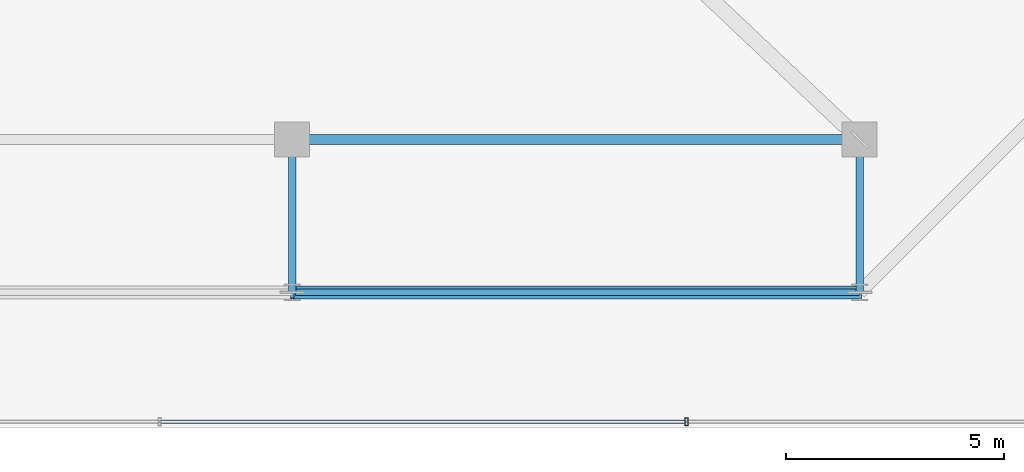
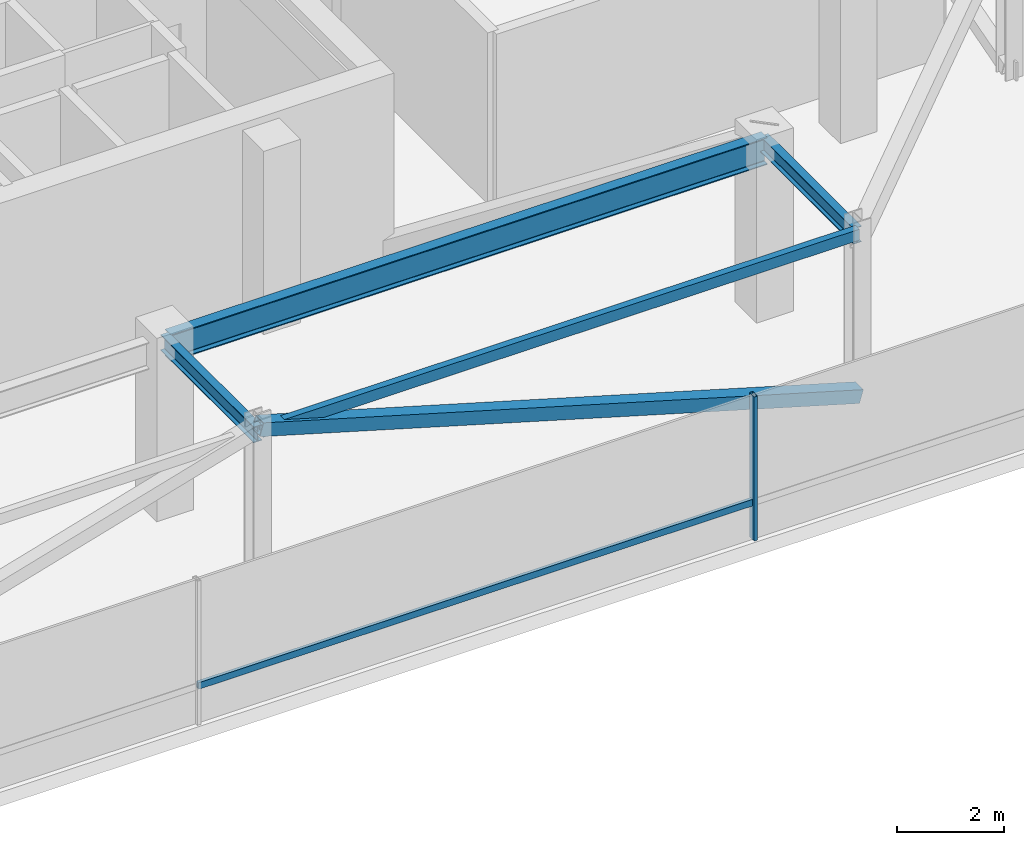
# One storey, part 8 of 47: 4 beams, 3 members, 1 element without a shape of its own.
"""IFC4 building model written with IfcOpenShell, lengths in metres."""

from ifc_helpers import new_model, si_unit, direction, frame, origin, origin_2d, place, context, subcontext, project, spatial, hollow_rectangle, i_section, extrude, material, material_profile, profile_set, type_object, element, aggregate, save


model = new_model("IFC4")

# Units and contexts
model_context = context("Model", 3, precision=1e-05, world=origin(), true_north=direction((0.0, 1.0)))
body_context = subcontext(model_context, "Body", "Model", "MODEL_VIEW")
ifc_project = project(units=[si_unit("LENGTHUNIT", "METRE"), si_unit("AREAUNIT", "SQUARE_METRE"), si_unit("VOLUMEUNIT", "CUBIC_METRE"), si_unit("PLANEANGLEUNIT", "RADIAN"), si_unit("MASSUNIT", "GRAM", prefix="KILO")], contexts=[model_context])

# Site, building, storey
site_placement = place(None, origin())
site = spatial("IfcSite", under=ifc_project, at=site_placement, CompositionType="ELEMENT")
building_placement = place(site_placement, origin())
building = spatial("IfcBuilding", under=site, at=building_placement, Name="Thornwick Lancets Civic Towers", CompositionType="ELEMENT")
storey_placement = place(building_placement, frame((0.0, 0.0, 279.89990234375)))
storey = spatial("IfcBuildingStorey", under=building, at=storey_placement, Name="C01", CompositionType="ELEMENT", Elevation=279.89990234375)

# Beams
ifc_material_1 = material(Name="Steel S355JR", Category="steel")
ifc_material_profile_1 = material_profile(ifc_material_1, hollow_rectangle(XDim=0.14990234375, YDim=0.25, WallThickness=0.012451171875, at=origin_2d()), Name="RHS 250x150x12.5")
ifc_profile_set_1 = profile_set([ifc_material_profile_1], Name="Steel S355JR")
beam_type_1 = type_object("IfcBeamType", Name="BM_CROWN_RHS250", PredefinedType="BEAM", material=ifc_profile_set_1)
beam_1_placement = place(storey_placement, frame((25.580078125, 6.199951171875, 3.815185546875), z_axis=(1.0, 0.0, 0.0), x_axis=(0.0, 1.0, 0.0)))
element("IfcBeam", 1, at=beam_1_placement, inside=storey, type_object=beam_type_1, Name="BM-EDGE-C01-A-S0-2", PredefinedType="BEAM", context=body_context, shape_type="SweptSolid", body=[
    extrude(hollow_rectangle(XDim=0.14990234375, YDim=0.25, WallThickness=0.012451171875, at=origin_2d()), origin(), (0.0, 0.0, 1.0), 12.919921875),
])
ifc_material_profile_2 = material_profile(ifc_material_1, i_section(OverallWidth=0.230224609375, OverallDepth=0.6171875, WebThickness=0.01318359375, FlangeThickness=0.022216796875, FilletRadius=0.0126953125, at=origin_2d()), Name="UKB 610x229x140")
ifc_profile_set_2 = profile_set([ifc_material_profile_2], Name="Steel S355JR")
beam_type_2 = type_object("IfcBeamType", Name="BM_GIRD_610_140", PredefinedType="BEAM", material=ifc_profile_set_2)
beam_2_placement = place(storey_placement, frame((25.580078125, 9.699951171875, 3.631591796875), z_axis=(1.0, 0.0, 0.0), x_axis=(0.0, 1.0, 0.0)))
element("IfcBeam", 2, at=beam_2_placement, inside=storey, type_object=beam_type_2, Name="BM-SPINE-C01-A-1-2", PredefinedType="BEAM", context=body_context, shape_type="SweptSolid", body=[
    extrude(i_section(OverallWidth=0.230224609375, OverallDepth=0.6171875, WebThickness=0.01318359375, FlangeThickness=0.022216796875, FilletRadius=0.0126953125, at=origin_2d()), origin(), (0.0, 0.0, 1.0), 12.919921875),
])
ifc_material_profile_3 = material_profile(ifc_material_1, i_section(OverallWidth=0.173095703125, OverallDepth=0.36328125, WebThickness=0.009033203125, FlangeThickness=0.015625, FilletRadius=0.01025390625, at=origin_2d()), Name="UKB 356x171x67")
ifc_profile_set_3 = profile_set([ifc_material_profile_3], Name="Steel S355JR")
beam_type_3 = type_object("IfcBeamType", Name="BM_JOIST_356_67", PredefinedType="JOIST", material=ifc_profile_set_3)
for number, where, z_axis, x_axis, name in (
    (3, (25.5, 9.699951171875, 3.75830078125), (0.0, -1.0, 0.0), (1.0, 0.0, 0.0), "BM-RAD-C01-A02"),
    (4, (38.5, 9.699951171875, 3.75830078125), (0.0, -1.0, 0.0), (1.0, 0.0, 0.0), "BM-RAD-C01-A03"),
):
    element("IfcBeam", number, at=place(storey_placement, frame(where, z_axis=z_axis, x_axis=x_axis)), inside=storey, type_object=beam_type_3, Name=name, PredefinedType="JOIST", context=body_context, shape_type="SweptSolid", body=[
        extrude(i_section(OverallWidth=0.173095703125, OverallDepth=0.36328125, WebThickness=0.009033203125, FlangeThickness=0.015625, FilletRadius=0.01025390625, at=origin_2d()), origin(), (0.0, 0.0, 1.0), 3.5),
    ])

# Curtain wall, members
ifc_material_2 = material(Name="Crown ring acoustic-louvre and glazing screen wall", Category="glass")
curtain_wall_type = type_object("IfcCurtainWallType", Name="CW_SYS_07", PredefinedType="NOTDEFINED", material=ifc_material_2)
curtain_wall_placement = place(storey_placement, origin())
curtain_wall = element("IfcCurtainWall", 5, at=curtain_wall_placement, inside=storey, type_object=curtain_wall_type, Name="C01 Curtain Wall CW-C01-A-E0", PredefinedType="NOTDEFINED")
ifc_material_3 = material(Name="Thermally broken bronze aluminium S355", Category="steel")
ifc_material_profile_4 = material_profile(ifc_material_3, hollow_rectangle(XDim=0.074951171875, YDim=0.179931640625, WallThickness=0.006103515625, at=origin_2d()), Name="RHS 180x75x6")
ifc_profile_set_4 = profile_set([ifc_material_profile_4], Name="Thermally broken bronze aluminium S355")
member_type_1 = type_object("IfcMemberType", Name="CW_MUL_180", PredefinedType="MULLION", material=ifc_profile_set_4)
member_1_placement = place(storey_placement, frame((34.53369140625, 3.2353515625, 0.0), z_axis=(0.0, 0.0, 1.0), x_axis=(1.0, 0.0, 0.0)))
member_1 = element("IfcMember", 6, at=member_1_placement, type_object=member_type_1, Name="CW-C01-A-E0 Mullion 2", PredefinedType="MULLION", context=body_context, shape_type="SweptSolid", body=[
    extrude(hollow_rectangle(XDim=0.074951171875, YDim=0.179931640625, WallThickness=0.006103515625, at=origin_2d()), origin(), (0.0, 0.0, 1.0), 3.300048828125),
])
ifc_material_profile_5 = material_profile(ifc_material_3, hollow_rectangle(XDim=0.074951171875, YDim=0.14990234375, WallThickness=0.0048828125, at=origin_2d()), Name="RHS 150x75x5")
ifc_profile_set_5 = profile_set([ifc_material_profile_5], Name="Thermally broken bronze aluminium S355")
member_type_2 = type_object("IfcMemberType", Name="CW_TRN_150", PredefinedType="USERDEFINED", material=ifc_profile_set_5)
member_2_placement = place(storey_placement, frame((22.486083984375, 3.2353515625, 0.85009765625), z_axis=(1.0, 0.0, 0.0), x_axis=(0.0, 1.0, 0.0)))
member_2 = element("IfcMember", 7, at=member_2_placement, type_object=member_type_2, Name="CW-C01-A-E0 Transom 1", ObjectType="TRANSOM", PredefinedType="USERDEFINED", context=body_context, shape_type="SweptSolid", body=[
    extrude(hollow_rectangle(XDim=0.074951171875, YDim=0.14990234375, WallThickness=0.0048828125, at=origin_2d()), origin(), (0.0, 0.0, 1.0), 12.02783203125),
])
aggregate(curtain_wall, [member_1, member_2])

# Member
ifc_material_4 = material(Name="Steel S460M", Category="steel")
ifc_material_profile_6 = material_profile(ifc_material_4, hollow_rectangle(XDim=0.300048828125, YDim=0.300048828125, WallThickness=0.01611328125, at=origin_2d()), Name="SHS 300x300x16")
ifc_profile_set_6 = profile_set([ifc_material_profile_6], Name="Steel S460M")
member_type_3 = type_object("IfcMemberType", Name="MEM_BELT_SHS300", PredefinedType="BRACE", material=ifc_profile_set_6)
member_3_placement = place(storey_placement, frame((38.5, 6.199951171875, 0.150146484375), z_axis=(-0.960032302388, 0.0, 0.279889225178), x_axis=(0.0, -1.0, 0.0)))
element("IfcMember", 8, at=member_3_placement, inside=storey, type_object=member_type_3, Name="C01 Belt Truss Diagonal A-S0-2", PredefinedType="BRACE", context=body_context, shape_type="SweptSolid", body=[
    extrude(hollow_rectangle(XDim=0.300048828125, YDim=0.300048828125, WallThickness=0.01611328125, at=origin_2d()), origin(), (0.0, 0.0, 1.0), 13.541259765625),
])

save(model, "model.ifc")
